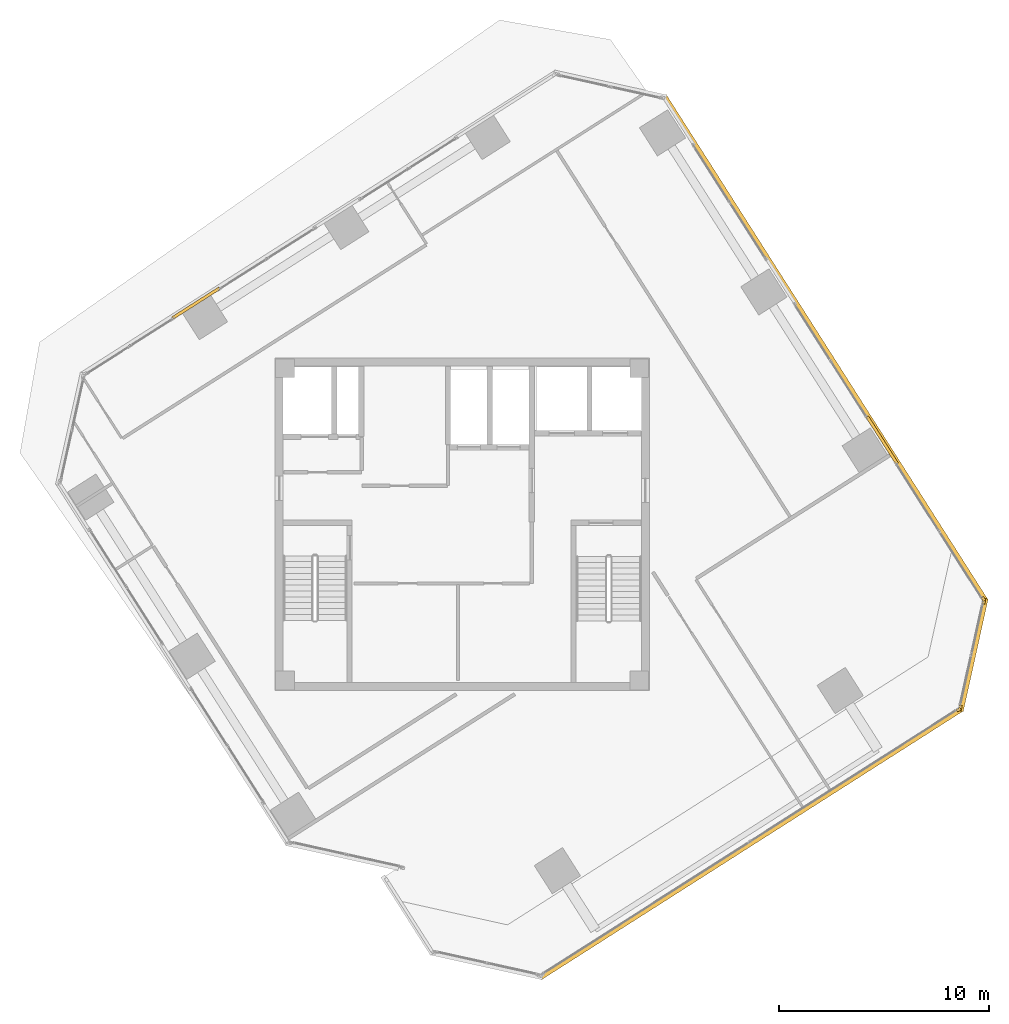
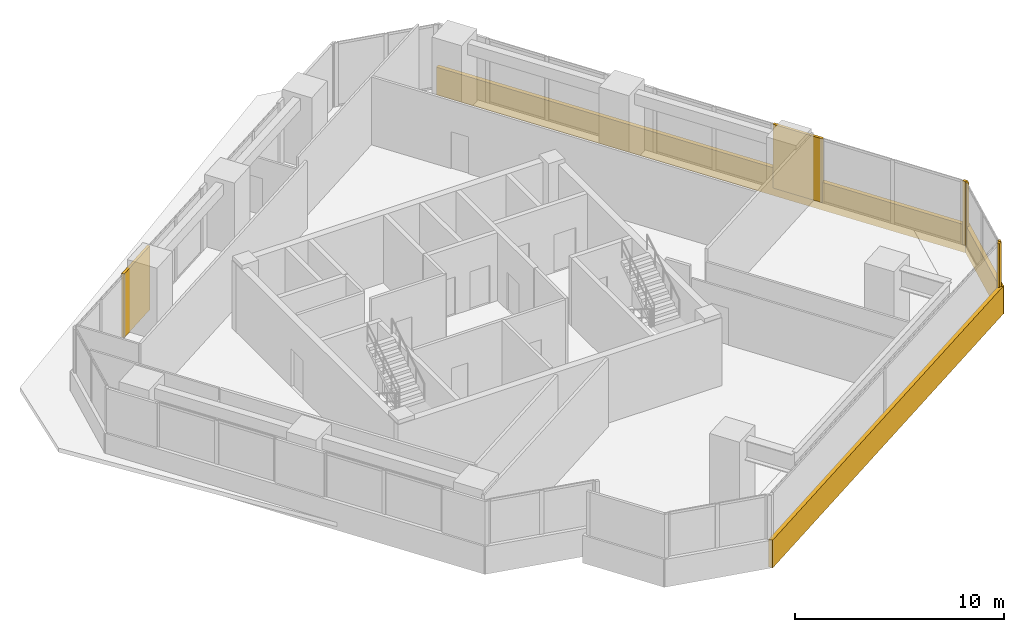
# One storey, part 14 of 15: 9 coverings.
"""IFC4 building model written with IfcOpenShell, lengths in metres."""

import ifcopenshell
import ifcopenshell.guid

model = None  # the IFC model being written
_history = None  # IfcOwnerHistory: only IFC2X3 demands one
_inside = {}  # id of a spatial element -> (the spatial element, [elements in it])
_under = {}  # id of a project, library or spatial element -> (it, [spatial elements below it])
_declared = {}  # id of a project -> (the project, [libraries it declares])
_typed = {}  # id of a type object -> (the type object, [elements of that type])
_made_of = {}  # id of a material, layer set ... -> (it, [elements and type objects made of it])


def new_model(schema):
    """Start an empty IFC model of exactly this schema.

    Asked for "IFC4X3", IfcOpenShell would pick the latest addendum, in which some entities
    have other attributes; the version numbers below select the first issue.
    IFC2X3 requires an IfcOwnerHistory on every rooted entity: one is made here for all.
    """
    global model, _history
    if schema == "IFC4X3":
        model = ifcopenshell.file(schema_version=(4, 3, 0, 0))
    else:
        model = ifcopenshell.file(schema=schema)
    _inside.clear()
    _under.clear()
    _declared.clear()
    _typed.clear()
    _made_of.clear()
    _history = None
    if model.schema == "IFC2X3":
        org = make("IfcOrganization", Name="unknown")
        user = make(
            "IfcPersonAndOrganization",
            ThePerson=make("IfcPerson", FamilyName="unknown"),
            TheOrganization=org,
        )
        app = make(
            "IfcApplication",
            ApplicationDeveloper=org,
            Version="unknown",
            ApplicationFullName="unknown",
            ApplicationIdentifier="unknown",
        )
        _history = make(
            "IfcOwnerHistory",
            OwningUser=user,
            OwningApplication=app,
            ChangeAction="ADDED",
            CreationDate=0,
        )
    return model


def make(cls, **values):
    """One entity of the class cls with the attributes given. An attribute that is None is left unset."""
    return model.create_entity(
        cls, **{name: value for name, value in values.items() if value is not None}
    )


def rooted(cls, **values):
    """An entity with a GlobalId (a new one), such as an element, a storey or a relation."""
    return make(cls, GlobalId=ifcopenshell.guid.new(), OwnerHistory=_history, **values)


def si_unit(unit_type, name, prefix=None):
    """IfcSIUnit, for example si_unit("LENGTHUNIT", "METRE", prefix="MILLI")."""
    return make("IfcSIUnit", UnitType=unit_type, Prefix=prefix, Name=name)


def assignment(units):
    """IfcUnitAssignment: the units of a project."""
    return None if units is None else make("IfcUnitAssignment", Units=units)


def point(xyz):
    """IfcCartesianPoint."""
    return None if xyz is None else make("IfcCartesianPoint", Coordinates=xyz)


def direction(xyz):
    """IfcDirection."""
    return None if xyz is None else make("IfcDirection", DirectionRatios=xyz)


def frame(location, z_axis=None, x_axis=None):
    """IfcAxis2Placement3D, a coordinate frame: its origin and axes. An axis left out is left unset."""
    return make(
        "IfcAxis2Placement3D",
        Location=point(location),
        Axis=direction(z_axis),
        RefDirection=direction(x_axis),
    )


def frame_2d(location, x_axis=None):
    """IfcAxis2Placement2D, a coordinate frame in the plane: its origin and x axis."""
    return make(
        "IfcAxis2Placement2D", Location=point(location), RefDirection=direction(x_axis)
    )


def origin():
    """The frame at (0, 0, 0) with its axes left unset."""
    return frame((0.0, 0.0, 0.0))


def origin_2d():
    """The frame at (0, 0) in the plane with its x axis left unset."""
    return frame_2d((0.0, 0.0))


def place(relative_to, where):
    """IfcLocalPlacement: puts the frame where relative to a parent placement (None: the world)."""
    return make(
        "IfcLocalPlacement", PlacementRelTo=relative_to, RelativePlacement=where
    )


def context(
    kind, dimensions, precision=None, world=None, true_north=None, identifier=None
):
    """IfcGeometricRepresentationContext, for example the 3D "Model" context."""
    return make(
        "IfcGeometricRepresentationContext",
        ContextIdentifier=identifier,
        ContextType=kind,
        CoordinateSpaceDimension=dimensions,
        Precision=precision,
        WorldCoordinateSystem=world,
        TrueNorth=true_north,
    )


def subcontext(parent, identifier, kind, view, scale=None):
    """IfcGeometricRepresentationSubContext, for example "Body" below "Model"."""
    return make(
        "IfcGeometricRepresentationSubContext",
        ContextIdentifier=identifier,
        ContextType=kind,
        ParentContext=parent,
        TargetScale=scale,
        TargetView=view,
    )


def project(units=None, contexts=None):
    """IfcProject with its units and contexts."""
    return rooted(
        "IfcProject",
        Name="project",
        RepresentationContexts=contexts,
        UnitsInContext=assignment(units),
    )


def spatial(cls, under=None, at=None, **own):
    """A site, building, storey or space (cls), placed at a placement, below another one or the project."""
    s = rooted(cls, ObjectPlacement=at, **own)
    if under is not None:
        _under.setdefault(under.id(), (under, []))[1].append(s)
    return s


def profile(cls, at=None, kind="AREA", **sizes):
    """A parametric profile (cls). Its sizes go by their IFC names, for example OverallWidth=200.0."""
    return make(cls, ProfileType=kind, Position=at, **sizes)


def rectangle(**sizes):
    """IfcRectangleProfileDef."""
    return profile("IfcRectangleProfileDef", **sizes)


def extrude(swept, where, along, depth):
    """IfcExtrudedAreaSolid: the profile swept, set in the frame where, extruded along a direction by depth."""
    return make(
        "IfcExtrudedAreaSolid",
        SweptArea=swept,
        Position=where,
        ExtrudedDirection=direction(along),
        Depth=depth,
    )


def shape(context_of_items, identifier, shape_type, items):
    """IfcShapeRepresentation: the items that make up one representation, for example the "Body"."""
    return make(
        "IfcShapeRepresentation",
        ContextOfItems=context_of_items,
        RepresentationIdentifier=identifier,
        RepresentationType=shape_type,
        Items=items,
    )


def source(mapping_origin, context_of_items, identifier, shape_type, items):
    """IfcRepresentationMap: a shape defined once, which mapped items show again and again."""
    return make(
        "IfcRepresentationMap",
        MappingOrigin=mapping_origin,
        MappedRepresentation=shape(context_of_items, identifier, shape_type, items),
    )


def transform(
    local_origin,
    x_axis=None,
    y_axis=None,
    z_axis=None,
    scale=None,
    scale2=None,
    scale3=None,
    uniform=True,
):
    """IfcCartesianTransformationOperator3D, or its non-uniform kind. x_axis, y_axis, z_axis: its Axis1, 2, 3."""
    if uniform:
        return make(
            "IfcCartesianTransformationOperator3D",
            Axis1=direction(x_axis),
            Axis2=direction(y_axis),
            LocalOrigin=point(local_origin),
            Scale=scale,
            Axis3=direction(z_axis),
        )
    return make(
        "IfcCartesianTransformationOperator3DnonUniform",
        Axis1=direction(x_axis),
        Axis2=direction(y_axis),
        LocalOrigin=point(local_origin),
        Scale=scale,
        Axis3=direction(z_axis),
        Scale2=scale2,
        Scale3=scale3,
    )


def mapped(mapping_source, mapping_target):
    """IfcMappedItem: shows the shape of a source again, moved by a transform."""
    return make(
        "IfcMappedItem", MappingSource=mapping_source, MappingTarget=mapping_target
    )


def material(Name=None, Category=None):
    """IfcMaterial."""
    return make("IfcMaterial", Name=Name, Category=Category)


def layer(
    of_material, thickness, ventilated=None, Name=None, Category=None, Priority=None
):
    """IfcMaterialLayer: one layer of a wall or slab, of a material (None: an air gap)."""
    return make(
        "IfcMaterialLayer",
        Material=of_material,
        LayerThickness=thickness,
        IsVentilated=ventilated,
        Name=Name,
        Category=Category,
        Priority=Priority,
    )


def layer_set(layers, Name=None):
    """IfcMaterialLayerSet."""
    return make("IfcMaterialLayerSet", MaterialLayers=layers, LayerSetName=Name)


def made_of(thing, what):
    """Note that an element or type object is made of a material, layer set ...; save() writes the relation."""
    if what is not None:
        _made_of.setdefault(what.id(), (what, []))[1].append(thing)
    return thing


def type_object(cls, material=None, **own):
    """A type object (cls), such as IfcWallType, which elements share."""
    return made_of(rooted(cls, **own), material)


def element(
    cls,
    number,
    at=None,
    inside=None,
    cuts=None,
    type_object=None,
    material=None,
    context=None,
    identifier="Body",
    shape_type=None,
    held_by="IfcProductDefinitionShape",
    body=None,
    shapes=None,
    **own,
):
    """One element of the class cls, such as IfcWall. Its Tag is "e" and its number.

    at: its placement. inside: the storey or other place that contains it. cuts: it is an
    opening in that element (IfcRelVoidsElement). A single representation is given by context,
    identifier, shape_type and body (its items); several are given by shapes. held_by: the class
    of the entity that holds the representations. save() writes the other relations.
    """
    e = rooted(cls, Tag="e%d" % number, ObjectPlacement=at, **own)
    if body is not None:
        shapes = [shape(context, identifier, shape_type, body)]
    if shapes is not None:
        e.Representation = make(held_by, Representations=shapes)
    if inside is not None:
        _inside.setdefault(inside.id(), (inside, []))[1].append(e)
    if cuts is not None:
        rooted(
            "IfcRelVoidsElement", RelatingBuildingElement=cuts, RelatedOpeningElement=e
        )
    if type_object is not None:
        _typed.setdefault(type_object.id(), (type_object, []))[1].append(e)
    return made_of(e, material)


def aggregate(whole, parts):
    """IfcRelAggregates: a whole, such as a stair, and the parts it consists of."""
    return rooted("IfcRelAggregates", RelatingObject=whole, RelatedObjects=parts)


def save(model, path):
    """Write the relations noted so far, then the file.

    IfcRelAggregates (storeys below a building ...), IfcRelContainedInSpatialStructure (elements
    in a storey), IfcRelDefinesByType, IfcRelAssociatesMaterial and IfcRelDeclares: one each for
    every whole, place, type object, material and project.
    """
    for whole, parts in _under.values():
        aggregate(whole, parts)
    for where, things in _inside.values():
        rooted(
            "IfcRelContainedInSpatialStructure",
            RelatedElements=things,
            RelatingStructure=where,
        )
    for kind, things in _typed.values():
        rooted("IfcRelDefinesByType", RelatedObjects=things, RelatingType=kind)
    for what, things in _made_of.values():
        rooted("IfcRelAssociatesMaterial", RelatedObjects=things, RelatingMaterial=what)
    for by, libraries in _declared.values():
        rooted("IfcRelDeclares", RelatingContext=by, RelatedDefinitions=libraries)
    model.write(path)


model = new_model("IFC4")

# Units and contexts
model_context = context("Model", 3, precision=1e-05, world=origin(), true_north=direction((0.0, 1.0)))
body_context = subcontext(model_context, "Body", "Model", "MODEL_VIEW")
ifc_project = project(units=[si_unit("LENGTHUNIT", "METRE"), si_unit("AREAUNIT", "SQUARE_METRE"), si_unit("VOLUMEUNIT", "CUBIC_METRE"), si_unit("PLANEANGLEUNIT", "RADIAN"), si_unit("MASSUNIT", "GRAM", prefix="KILO")], contexts=[model_context])

# Site, building, storey
site_placement = place(None, origin())
site = spatial("IfcSite", under=ifc_project, at=site_placement, CompositionType="ELEMENT")
building_placement = place(site_placement, origin())
building = spatial("IfcBuilding", under=site, at=building_placement, Name="Torre Montelarca", CompositionType="ELEMENT")
storey_placement = place(building_placement, frame((0.0, 0.0, 307.199951171875)))
storey = spatial("IfcBuildingStorey", under=building, at=storey_placement, Name="L69", CompositionType="ELEMENT", Elevation=307.199951171875)

# Coverings
ifc_material = material(Name="Bush-hammered warm white precast concrete C45/55", Category="concrete")
ifc_layer = layer(ifc_material, 0.139892578125, Name="Bush-hammered warm white precast concrete C45/55", Category="concrete")
ifc_layer_set = layer_set([ifc_layer], Name="Bush-hammered warm white precast concrete C45/55")
covering_type = type_object("IfcCoveringType", Name="COV-TRAY-CLAD", PredefinedType="CLADDING", material=ifc_layer_set)
shared_shape_1 = source(origin(), body_context, "Body", "SweptSolid", [
    extrude(rectangle(XDim=0.199951171875, YDim=0.139892578125, at=origin_2d()), origin(), (0.0, 0.0, 1.0), 3.719970703125),
])
for number, where, z_axis, x_axis, name in (
    (1, (41.6982421875, 23.15771484375, 0.0), (0.0, 0.0, 1.0), (0.843390508047, 0.537301080342, 0.0), "L69 Architectural Column Pier Cladding E06-2"),
    (2, (41.781494140625, 23.276611328125, 0.0), (0.0, 0.0, 1.0), (0.216429390178, 0.976298273617, 0.0), "L69 Architectural Column Pier Cladding E07-1"),
    (3, (42.89453125, 28.297119140625, 0.0), (0.0, 0.0, 1.0), (0.216429390178, 0.976298273617, 0.0), "L69 Architectural Column Pier Cladding E07-2"),
    (4, (42.869384765625, 28.440185546875, 0.0), (0.0, 0.0, 1.0), (-0.537299608347, 0.843391445813, 0.0), "L69 Architectural Column Pier Cladding E08-1"),
):
    element("IfcCovering", number, at=place(storey_placement, frame(where, z_axis=z_axis, x_axis=x_axis)), inside=storey, type_object=covering_type, Name=name, PredefinedType="CLADDING", context=body_context, shape_type="MappedRepresentation", body=[
        mapped(shared_shape_1, transform((0.0, 0.0, 0.0), scale=1.0)),
    ])
shared_shape_2 = source(origin(), body_context, "Body", "SweptSolid", [
    extrude(rectangle(XDim=2.659912109375, YDim=0.139892578125, at=origin_2d()), origin(), (0.0, 0.0, 1.0), 3.719970703125),
])
for number, where, z_axis, x_axis, name in (
    (5, (38.042236328125, 36.01708984375, 0.0), (0.0, 0.0, 1.0), (-0.537299608347, 0.843391445813, 0.0), "L69 Architectural Column Pier Cladding E08-2"),
    (6, (5.291015625, 42.5537109375, 0.0), (0.0, 0.0, 1.0), (-0.843390508047, -0.537301080342, 0.0), "L69 Architectural Column Pier Cladding E10-4"),
):
    element("IfcCovering", number, at=place(storey_placement, frame(where, z_axis=z_axis, x_axis=x_axis)), inside=storey, type_object=covering_type, Name=name, PredefinedType="CLADDING", context=body_context, shape_type="MappedRepresentation", body=[
        mapped(shared_shape_2, transform((0.0, 0.0, 0.0), scale=1.0)),
    ])
shared_shape_3 = source(origin(), body_context, "Body", "SweptSolid", [
    extrude(rectangle(XDim=5.493896484375, YDim=0.219970703125, at=origin_2d()), origin(), (0.0, 0.0, 1.0), 1.6201171875),
])
covering_1_placement = place(storey_placement, frame((42.396728515625, 25.77392578125, -0.449951171875), z_axis=(0.0, 0.0, 1.0), x_axis=(0.216432798101, 0.97629751813, 0.0)))
element("IfcCovering", 7, at=covering_1_placement, inside=storey, type_object=covering_type, Name="L69 Architectural White Spandrel Tray Band TRYBOT-07", PredefinedType="CLADDING", context=body_context, shape_type="MappedRepresentation", body=[
    mapped(shared_shape_3, transform((0.0, 0.0, 0.0), scale=1.0)),
])
shared_shape_4 = source(origin(), body_context, "Body", "SweptSolid", [
    extrude(rectangle(XDim=28.6201171875, YDim=0.219970703125, at=origin_2d()), origin(), (0.0, 0.0, 1.0), 1.6201171875),
])
covering_2_placement = place(storey_placement, frame((35.32568359375, 40.392822265625, -0.449951171875), z_axis=(0.0, 0.0, 1.0), x_axis=(-0.53729813635, 0.843392383576, 0.0)))
element("IfcCovering", 8, at=covering_2_placement, inside=storey, type_object=covering_type, Name="L69 Architectural White Spandrel Tray Band TRYBOT-08", PredefinedType="CLADDING", context=body_context, shape_type="MappedRepresentation", body=[
    mapped(shared_shape_4, transform((0.0, 0.0, 0.0), scale=1.0)),
])
shared_shape_5 = source(origin(), body_context, "Body", "SweptSolid", [
    extrude(rectangle(XDim=23.919921875, YDim=0.219970703125, at=origin_2d()), origin(), (0.0, 0.0, 1.0), 1.6201171875),
])
covering_3_placement = place(storey_placement, frame((31.7919921875, 16.775634765625, -0.449951171875), z_axis=(0.0, 0.0, 1.0), x_axis=(0.843391445813, 0.537299608347, 0.0)))
element("IfcCovering", 9, at=covering_3_placement, inside=storey, type_object=covering_type, Name="L69 Architectural White Spandrel Tray Band TRYBOT-06", PredefinedType="CLADDING", context=body_context, shape_type="MappedRepresentation", body=[
    mapped(shared_shape_5, transform((0.0, 0.0, 0.0), scale=1.0)),
])

save(model, "model.ifc")
